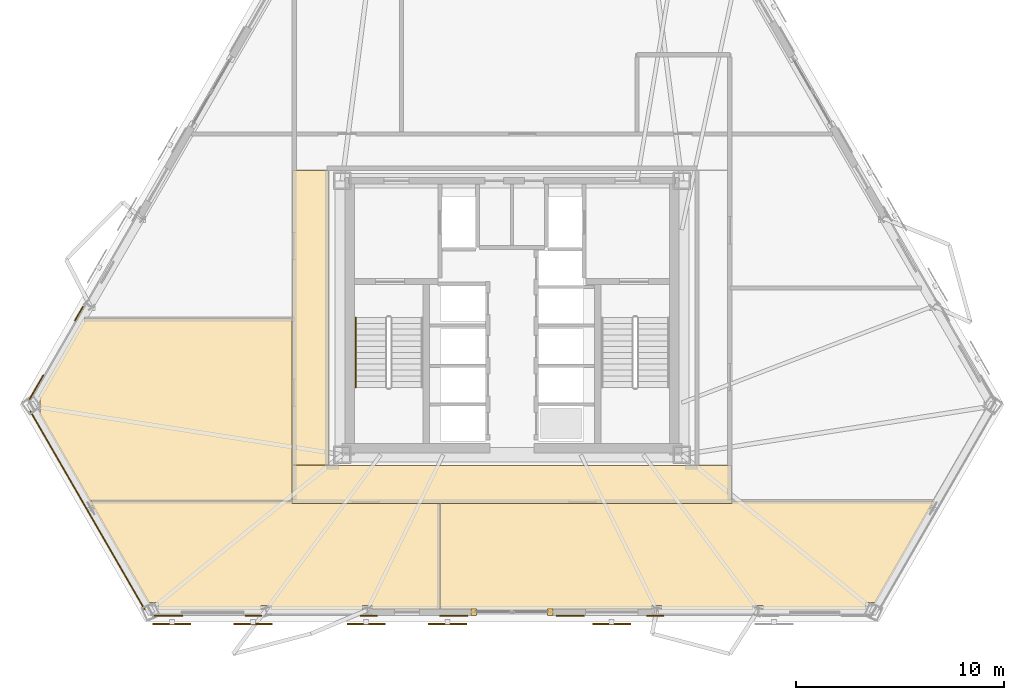
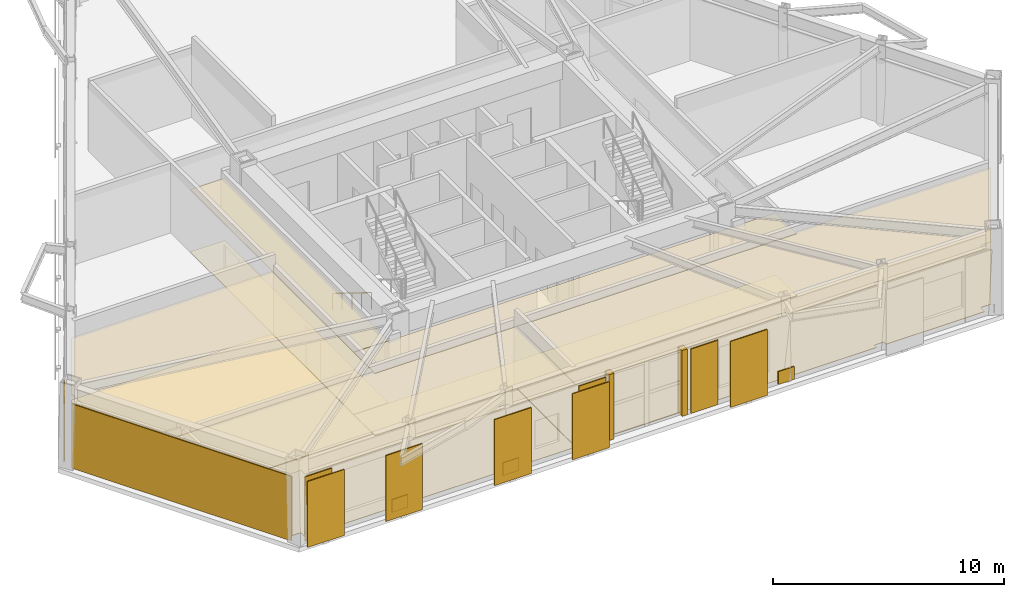
# One storey, part 11 of 14: 21 coverings, 5 shading devices, 1 railing.
"""IFC4 building model written with IfcOpenShell, lengths in metres."""

import ifcopenshell
import ifcopenshell.guid

model = None  # the IFC model being written
_history = None  # IfcOwnerHistory: only IFC2X3 demands one
_inside = {}  # id of a spatial element -> (the spatial element, [elements in it])
_under = {}  # id of a project, library or spatial element -> (it, [spatial elements below it])
_declared = {}  # id of a project -> (the project, [libraries it declares])
_typed = {}  # id of a type object -> (the type object, [elements of that type])
_made_of = {}  # id of a material, layer set ... -> (it, [elements and type objects made of it])


def new_model(schema):
    """Start an empty IFC model of exactly this schema.

    Asked for "IFC4X3", IfcOpenShell would pick the latest addendum, in which some entities
    have other attributes; the version numbers below select the first issue.
    IFC2X3 requires an IfcOwnerHistory on every rooted entity: one is made here for all.
    """
    global model, _history
    if schema == "IFC4X3":
        model = ifcopenshell.file(schema_version=(4, 3, 0, 0))
    else:
        model = ifcopenshell.file(schema=schema)
    _inside.clear()
    _under.clear()
    _declared.clear()
    _typed.clear()
    _made_of.clear()
    _history = None
    if model.schema == "IFC2X3":
        org = make("IfcOrganization", Name="unknown")
        user = make(
            "IfcPersonAndOrganization",
            ThePerson=make("IfcPerson", FamilyName="unknown"),
            TheOrganization=org,
        )
        app = make(
            "IfcApplication",
            ApplicationDeveloper=org,
            Version="unknown",
            ApplicationFullName="unknown",
            ApplicationIdentifier="unknown",
        )
        _history = make(
            "IfcOwnerHistory",
            OwningUser=user,
            OwningApplication=app,
            ChangeAction="ADDED",
            CreationDate=0,
        )
    return model


def make(cls, **values):
    """One entity of the class cls with the attributes given. An attribute that is None is left unset."""
    return model.create_entity(
        cls, **{name: value for name, value in values.items() if value is not None}
    )


def rooted(cls, **values):
    """An entity with a GlobalId (a new one), such as an element, a storey or a relation."""
    return make(cls, GlobalId=ifcopenshell.guid.new(), OwnerHistory=_history, **values)


def si_unit(unit_type, name, prefix=None):
    """IfcSIUnit, for example si_unit("LENGTHUNIT", "METRE", prefix="MILLI")."""
    return make("IfcSIUnit", UnitType=unit_type, Prefix=prefix, Name=name)


def assignment(units):
    """IfcUnitAssignment: the units of a project."""
    return None if units is None else make("IfcUnitAssignment", Units=units)


def point(xyz):
    """IfcCartesianPoint."""
    return None if xyz is None else make("IfcCartesianPoint", Coordinates=xyz)


def direction(xyz):
    """IfcDirection."""
    return None if xyz is None else make("IfcDirection", DirectionRatios=xyz)


def frame(location, z_axis=None, x_axis=None):
    """IfcAxis2Placement3D, a coordinate frame: its origin and axes. An axis left out is left unset."""
    return make(
        "IfcAxis2Placement3D",
        Location=point(location),
        Axis=direction(z_axis),
        RefDirection=direction(x_axis),
    )


def frame_2d(location, x_axis=None):
    """IfcAxis2Placement2D, a coordinate frame in the plane: its origin and x axis."""
    return make(
        "IfcAxis2Placement2D", Location=point(location), RefDirection=direction(x_axis)
    )


def origin():
    """The frame at (0, 0, 0) with its axes left unset."""
    return frame((0.0, 0.0, 0.0))


def origin_2d():
    """The frame at (0, 0) in the plane with its x axis left unset."""
    return frame_2d((0.0, 0.0))


def place(relative_to, where):
    """IfcLocalPlacement: puts the frame where relative to a parent placement (None: the world)."""
    return make(
        "IfcLocalPlacement", PlacementRelTo=relative_to, RelativePlacement=where
    )


def context(
    kind, dimensions, precision=None, world=None, true_north=None, identifier=None
):
    """IfcGeometricRepresentationContext, for example the 3D "Model" context."""
    return make(
        "IfcGeometricRepresentationContext",
        ContextIdentifier=identifier,
        ContextType=kind,
        CoordinateSpaceDimension=dimensions,
        Precision=precision,
        WorldCoordinateSystem=world,
        TrueNorth=true_north,
    )


def subcontext(parent, identifier, kind, view, scale=None):
    """IfcGeometricRepresentationSubContext, for example "Body" below "Model"."""
    return make(
        "IfcGeometricRepresentationSubContext",
        ContextIdentifier=identifier,
        ContextType=kind,
        ParentContext=parent,
        TargetScale=scale,
        TargetView=view,
    )


def project(units=None, contexts=None):
    """IfcProject with its units and contexts."""
    return rooted(
        "IfcProject",
        Name="project",
        RepresentationContexts=contexts,
        UnitsInContext=assignment(units),
    )


def spatial(cls, under=None, at=None, **own):
    """A site, building, storey or space (cls), placed at a placement, below another one or the project."""
    s = rooted(cls, ObjectPlacement=at, **own)
    if under is not None:
        _under.setdefault(under.id(), (under, []))[1].append(s)
    return s


def polyline(points):
    """IfcPolyline through the points."""
    return make("IfcPolyline", Points=[point(p) for p in points])


def profile(cls, at=None, kind="AREA", **sizes):
    """A parametric profile (cls). Its sizes go by their IFC names, for example OverallWidth=200.0."""
    return make(cls, ProfileType=kind, Position=at, **sizes)


def rectangle(**sizes):
    """IfcRectangleProfileDef."""
    return profile("IfcRectangleProfileDef", **sizes)


def circle(**sizes):
    """IfcCircleProfileDef."""
    return profile("IfcCircleProfileDef", **sizes)


def outline(outer, holes=None, kind="AREA"):
    """IfcArbitraryClosedProfileDef: a profile drawn as a closed curve; with holes, ...WithVoids."""
    if holes is None:
        return make("IfcArbitraryClosedProfileDef", ProfileType=kind, OuterCurve=outer)
    return make(
        "IfcArbitraryProfileDefWithVoids",
        ProfileType=kind,
        OuterCurve=outer,
        InnerCurves=holes,
    )


def extrude(swept, where, along, depth):
    """IfcExtrudedAreaSolid: the profile swept, set in the frame where, extruded along a direction by depth."""
    return make(
        "IfcExtrudedAreaSolid",
        SweptArea=swept,
        Position=where,
        ExtrudedDirection=direction(along),
        Depth=depth,
    )


def shape(context_of_items, identifier, shape_type, items):
    """IfcShapeRepresentation: the items that make up one representation, for example the "Body"."""
    return make(
        "IfcShapeRepresentation",
        ContextOfItems=context_of_items,
        RepresentationIdentifier=identifier,
        RepresentationType=shape_type,
        Items=items,
    )


def material(Name=None, Category=None):
    """IfcMaterial."""
    return make("IfcMaterial", Name=Name, Category=Category)


def layer(
    of_material, thickness, ventilated=None, Name=None, Category=None, Priority=None
):
    """IfcMaterialLayer: one layer of a wall or slab, of a material (None: an air gap)."""
    return make(
        "IfcMaterialLayer",
        Material=of_material,
        LayerThickness=thickness,
        IsVentilated=ventilated,
        Name=Name,
        Category=Category,
        Priority=Priority,
    )


def layer_set(layers, Name=None):
    """IfcMaterialLayerSet."""
    return make("IfcMaterialLayerSet", MaterialLayers=layers, LayerSetName=Name)


def made_of(thing, what):
    """Note that an element or type object is made of a material, layer set ...; save() writes the relation."""
    if what is not None:
        _made_of.setdefault(what.id(), (what, []))[1].append(thing)
    return thing


def type_object(cls, material=None, **own):
    """A type object (cls), such as IfcWallType, which elements share."""
    return made_of(rooted(cls, **own), material)


def element(
    cls,
    number,
    at=None,
    inside=None,
    cuts=None,
    type_object=None,
    material=None,
    context=None,
    identifier="Body",
    shape_type=None,
    held_by="IfcProductDefinitionShape",
    body=None,
    shapes=None,
    **own,
):
    """One element of the class cls, such as IfcWall. Its Tag is "e" and its number.

    at: its placement. inside: the storey or other place that contains it. cuts: it is an
    opening in that element (IfcRelVoidsElement). A single representation is given by context,
    identifier, shape_type and body (its items); several are given by shapes. held_by: the class
    of the entity that holds the representations. save() writes the other relations.
    """
    e = rooted(cls, Tag="e%d" % number, ObjectPlacement=at, **own)
    if body is not None:
        shapes = [shape(context, identifier, shape_type, body)]
    if shapes is not None:
        e.Representation = make(held_by, Representations=shapes)
    if inside is not None:
        _inside.setdefault(inside.id(), (inside, []))[1].append(e)
    if cuts is not None:
        rooted(
            "IfcRelVoidsElement", RelatingBuildingElement=cuts, RelatedOpeningElement=e
        )
    if type_object is not None:
        _typed.setdefault(type_object.id(), (type_object, []))[1].append(e)
    return made_of(e, material)


def aggregate(whole, parts):
    """IfcRelAggregates: a whole, such as a stair, and the parts it consists of."""
    return rooted("IfcRelAggregates", RelatingObject=whole, RelatedObjects=parts)


def save(model, path):
    """Write the relations noted so far, then the file.

    IfcRelAggregates (storeys below a building ...), IfcRelContainedInSpatialStructure (elements
    in a storey), IfcRelDefinesByType, IfcRelAssociatesMaterial and IfcRelDeclares: one each for
    every whole, place, type object, material and project.
    """
    for whole, parts in _under.values():
        aggregate(whole, parts)
    for where, things in _inside.values():
        rooted(
            "IfcRelContainedInSpatialStructure",
            RelatedElements=things,
            RelatingStructure=where,
        )
    for kind, things in _typed.values():
        rooted("IfcRelDefinesByType", RelatedObjects=things, RelatingType=kind)
    for what, things in _made_of.values():
        rooted("IfcRelAssociatesMaterial", RelatedObjects=things, RelatingMaterial=what)
    for by, libraries in _declared.values():
        rooted("IfcRelDeclares", RelatingContext=by, RelatedDefinitions=libraries)
    model.write(path)


model = new_model("IFC4")

# Units and contexts
model_context = context("Model", 3, precision=1e-05, world=origin(), true_north=direction((0.0, 1.0)))
body_context = subcontext(model_context, "Body", "Model", "MODEL_VIEW")
ifc_project = project(units=[si_unit("LENGTHUNIT", "METRE"), si_unit("AREAUNIT", "SQUARE_METRE"), si_unit("VOLUMEUNIT", "CUBIC_METRE"), si_unit("PLANEANGLEUNIT", "RADIAN"), si_unit("MASSUNIT", "GRAM", prefix="KILO")], contexts=[model_context])

# Site, building, storey
site_placement = place(None, origin())
site = spatial("IfcSite", under=ifc_project, at=site_placement, CompositionType="ELEMENT")
building_placement = place(site_placement, origin())
building = spatial("IfcBuilding", under=site, at=building_placement, Name="Oramaril Tower", CompositionType="ELEMENT")
storey_placement = place(building_placement, frame((0.0, 0.0, 107.699951171875)))
storey = spatial("IfcBuildingStorey", under=building, at=storey_placement, Name="L28", CompositionType="ELEMENT", Elevation=107.699951171875)

# Coverings
ifc_material_1 = material(Name="Mineral Fibre Acoustic Ceiling")
ifc_layer_1 = layer(ifc_material_1, 0.02001953125)
ifc_layer_set_1 = layer_set([ifc_layer_1], Name="CVT-CEIL")
covering_type_1 = type_object("IfcCoveringType", Name="CVT-CEIL", PredefinedType="CEILING", material=ifc_layer_set_1)
covering_1_placement = place(storey_placement, frame((0.0, 0.0, 3.2919921875)))
element("IfcCovering", 1, at=covering_1_placement, inside=storey, type_object=covering_type_1, Name="L28 Acoustic Suspended Ceiling 1", PredefinedType="CEILING", context=body_context, shape_type="SweptSolid", body=[
    extrude(outline(polyline([(48.030029296875, 10.47998046875), (48.030029296875, 8.669921875), (26.969970703125, 8.669921875), (26.969970703125, 10.47998046875), (48.030029296875, 10.47998046875)])), origin(), (0.0, 0.0, 1.0), 0.02001953125),
])
covering_2_placement = place(storey_placement, frame((0.0, 0.0, 3.2919921875)))
element("IfcCovering", 2, at=covering_2_placement, inside=storey, type_object=covering_type_1, Name="L28 Acoustic Suspended Ceiling 3", PredefinedType="CEILING", context=body_context, shape_type="SweptSolid", body=[
    extrude(outline(polyline([(28.699951171875, 10.5), (26.969970703125, 10.5), (26.969970703125, 24.64990234375), (28.699951171875, 24.64990234375), (28.699951171875, 10.5)])), origin(), (0.0, 0.0, 1.0), 0.02001953125),
])
covering_3_placement = place(storey_placement, frame((0.0, 0.0, 3.2919921875)))
element("IfcCovering", 3, at=covering_3_placement, inside=storey, type_object=covering_type_1, Name="L28 Acoustic Suspended Ceiling 5", PredefinedType="CEILING", context=body_context, shape_type="SweptSolid", body=[
    extrude(outline(polyline([(34.0419921875, 3.5673828125), (30.788330078125, 3.5673828125), (30.788330078125, 3.767578125), (30.326904296875, 3.767578125), (30.326904296875, 3.5673828125), (25.93408203125, 3.5673828125), (25.93408203125, 3.767578125), (25.4619140625, 3.767578125), (25.4619140625, 3.5673828125), (20.533447265625, 3.5673828125), (20.533447265625, 3.914794921875), (20.025146484375, 3.914794921875), (17.209228515625, 8.7919921875), (26.949951171875, 8.7919921875), (26.949951171875, 8.669921875), (26.9501953125, 8.66796875), (26.950439453125, 8.666015625), (26.950927734375, 8.664306640625), (26.951416015625, 8.662353515625), (26.952392578125, 8.66064453125), (26.953369140625, 8.658935546875), (26.95458984375, 8.6572265625), (26.955810546875, 8.656005859375), (26.957275390625, 8.654541015625), (26.958984375, 8.6533203125), (26.960693359375, 8.65234375), (26.96240234375, 8.651611328125), (26.964111328125, 8.65087890625), (26.966064453125, 8.650390625), (26.968017578125, 8.650146484375), (26.969970703125, 8.64990234375), (34.0419921875, 8.64990234375), (34.0419921875, 3.5673828125)])), origin(), (0.0, 0.0, 1.0), 0.02001953125),
])
covering_4_placement = place(storey_placement, frame((0.0, 0.0, 3.2919921875)))
element("IfcCovering", 4, at=covering_4_placement, inside=storey, type_object=covering_type_1, Name="L28 Acoustic Suspended Ceiling 6", PredefinedType="CEILING", context=body_context, shape_type="SweptSolid", body=[
    extrude(outline(polyline([(49.5380859375, 3.767578125), (49.06591796875, 3.767578125), (49.06591796875, 3.5673828125), (44.673095703125, 3.5673828125), (44.673095703125, 3.767578125), (44.211669921875, 3.767578125), (44.211669921875, 3.5673828125), (34.06201171875, 3.5673828125), (34.06201171875, 8.64990234375), (48.030029296875, 8.64990234375), (48.031982421875, 8.650146484375), (48.033935546875, 8.650390625), (48.035888671875, 8.65087890625), (48.03759765625, 8.651611328125), (48.039306640625, 8.65234375), (48.041015625, 8.6533203125), (48.042724609375, 8.654541015625), (48.044189453125, 8.656005859375), (48.04541015625, 8.6572265625), (48.046630859375, 8.658935546875), (48.047607421875, 8.66064453125), (48.048583984375, 8.662353515625), (48.049072265625, 8.664306640625), (48.049560546875, 8.666015625), (48.0498046875, 8.66796875), (48.050048828125, 8.669921875), (48.050048828125, 8.7919921875), (57.790771484375, 8.7919921875), (54.974853515625, 3.914794921875), (54.466552734375, 3.914794921875), (54.466552734375, 3.5673828125), (49.5380859375, 3.5673828125), (49.5380859375, 3.767578125)])), origin(), (0.0, 0.0, 1.0), 0.02001953125),
])
covering_5_placement = place(storey_placement, frame((0.0, 0.0, 3.2919921875)))
element("IfcCovering", 5, at=covering_5_placement, inside=storey, type_object=covering_type_1, Name="L28 Acoustic Suspended Ceiling 7", PredefinedType="CEILING", context=body_context, shape_type="SweptSolid", body=[
    extrude(outline(polyline([(14.802734375, 12.960205078125), (14.84521484375, 12.960205078125), (14.84521484375, 13.7763671875), (14.7587890625, 13.7763671875), (16.932861328125, 17.5419921875), (26.949951171875, 17.5419921875), (26.949951171875, 10.5), (26.9501953125, 10.498046875), (26.950439453125, 10.49609375), (26.950927734375, 10.494140625), (26.951416015625, 10.4921875), (26.952392578125, 10.490478515625), (26.95263671875, 10.489990234375), (26.952392578125, 10.489501953125), (26.951416015625, 10.48779296875), (26.950927734375, 10.48583984375), (26.950439453125, 10.48388671875), (26.9501953125, 10.48193359375), (26.949951171875, 10.47998046875), (26.949951171875, 8.81201171875), (17.209228515625, 8.81201171875), (17.207275390625, 8.81201171875), (17.205322265625, 8.8115234375), (17.203369140625, 8.81103515625), (17.20166015625, 8.810302734375), (17.19970703125, 8.8095703125), (17.19921875, 8.809326171875), (14.802734375, 12.960205078125)])), origin(), (0.0, 0.0, 1.0), 0.02001953125),
])
ifc_material_2 = material(Name="Warm Cream Limestone", Category="masonry")
ifc_layer_2 = layer(ifc_material_2, 0.050048828125)
ifc_layer_set_2 = layer_set([ifc_layer_2], Name="CVT-CLD")
covering_type_2 = type_object("IfcCoveringType", Name="CVT-CLD", PredefinedType="CLADDING", material=ifc_layer_set_2)
covering_6_placement = place(storey_placement, frame((17.124755859375, 8.336181640625, 0.0400390625), z_axis=(0.0, 0.0, 1.0), x_axis=(0.500003022996, -0.86602365845, 0.0)))
element("IfcCovering", 6, at=covering_6_placement, inside=storey, type_object=covering_type_2, Name="L28 Warm Cream Limestone Cladding", PredefinedType="CLADDING", context=body_context, shape_type="SweptSolid", body=[
    extrude(rectangle(XDim=10.985595703125, YDim=0.050048828125, at=origin_2d()), origin(), (0.0, 0.0, 1.0), 3.39794921875),
])
for number, where, z_axis, x_axis, name in (
    (7, (35.669921875, 3.45947265625, 0.0), (0.0, 0.0, 1.0), (1.0, 0.0, 0.0), "L28 Curtain Wall Limestone Jamb Closure"),
    (8, (39.330078125, 3.45947265625, 0.0), (0.0, 0.0, 1.0), (1.0, 0.0, 0.0), "L28 Curtain Wall Limestone Jamb Closure"),
):
    element("IfcCovering", number, at=place(storey_placement, frame(where, z_axis=z_axis, x_axis=x_axis)), inside=storey, type_object=covering_type_2, Name=name, PredefinedType="CLADDING", context=body_context, shape_type="SweptSolid", body=[
        extrude(rectangle(XDim=0.260009765625, YDim=0.340087890625, at=origin_2d()), origin(), (0.0, 0.0, 1.0), 3.47802734375),
    ])
for number, where, z_axis, x_axis, name in (
    (9, (21.013427734375, 3.266357421875, 0.0400390625), (0.0, 0.0, 1.0), (1.0, 0.0, 0.0), "L28 Warm Cream Limestone Cladding"),
    (10, (34.699951171875, 3.266357421875, 0.0400390625), (0.0, 0.0, 1.0), (1.0, 0.0, 0.0), "L28 Warm Cream Limestone Cladding"),
):
    element("IfcCovering", number, at=place(storey_placement, frame(where, z_axis=z_axis, x_axis=x_axis)), inside=storey, type_object=covering_type_2, Name=name, PredefinedType="CLADDING", context=body_context, shape_type="SweptSolid", body=[
        extrude(rectangle(XDim=1.35009765625, YDim=0.050048828125, at=origin_2d()), origin(), (0.0, 0.0, 1.0), 3.39794921875),
    ])
for number, where, z_axis, x_axis, name in (
    (11, (25.087158203125, 3.266357421875, 0.0400390625), (0.0, 0.0, 1.0), (1.0, 0.0, 0.0), "L28 Warm Cream Limestone Spandrel Cladding"),
    (12, (30.626220703125, 3.266357421875, 0.0400390625), (0.0, 0.0, 1.0), (1.0, 0.0, 0.0), "L28 Warm Cream Limestone Spandrel Cladding"),
):
    element("IfcCovering", number, at=place(storey_placement, frame(where, z_axis=z_axis, x_axis=x_axis)), inside=storey, type_object=covering_type_2, Name=name, PredefinedType="CLADDING", context=body_context, shape_type="SweptSolid", body=[
        extrude(rectangle(XDim=0.800048828125, YDim=0.050048828125, at=origin_2d()), origin(), (0.0, 0.0, 1.0), 0.679931640625),
    ])
covering_7_placement = place(storey_placement, frame((40.300048828125, 3.266357421875, 0.0400390625), z_axis=(0.0, 0.0, 1.0), x_axis=(1.0, 0.0, 0.0)))
element("IfcCovering", 13, at=covering_7_placement, inside=storey, type_object=covering_type_2, Name="L28 Warm Cream Limestone Cladding", PredefinedType="CLADDING", context=body_context, shape_type="SweptSolid", body=[
    extrude(rectangle(XDim=1.35009765625, YDim=0.050048828125, at=origin_2d()), origin(), (0.0, 0.0, 1.0), 3.39794921875),
])
covering_8_placement = place(storey_placement, frame((44.373779296875, 3.266357421875, 0.0400390625), z_axis=(0.0, 0.0, 1.0), x_axis=(1.0, 0.0, 0.0)))
element("IfcCovering", 14, at=covering_8_placement, inside=storey, type_object=covering_type_2, Name="L28 Warm Cream Limestone Spandrel Cladding", PredefinedType="CLADDING", context=body_context, shape_type="SweptSolid", body=[
    extrude(rectangle(XDim=0.800048828125, YDim=0.050048828125, at=origin_2d()), origin(), (0.0, 0.0, 1.0), 0.679931640625),
])
covering_9_placement = place(storey_placement, frame((14.678466796875, 14.239013671875, 0.0400390625), z_axis=(0.0, 0.0, 1.0), x_axis=(-0.4999984885, -0.866026276448, 0.0)))
element("IfcCovering", 15, at=covering_9_placement, inside=storey, type_object=covering_type_2, Name="L28 Warm Cream Limestone Cladding", PredefinedType="CLADDING", context=body_context, shape_type="SweptSolid", body=[
    extrude(rectangle(XDim=1.35009765625, YDim=0.050048828125, at=origin_2d()), origin(), (0.0, 0.0, 1.0), 3.39794921875),
])
covering_10_placement = place(storey_placement, frame((16.715087890625, 17.766845703125, 0.0400390625), z_axis=(0.0, 0.0, 1.0), x_axis=(-0.4999984885, -0.866026276448, 0.0)))
element("IfcCovering", 16, at=covering_10_placement, inside=storey, type_object=covering_type_2, Name="L28 Warm Cream Limestone Spandrel Cladding", PredefinedType="CLADDING", context=body_context, shape_type="SweptSolid", body=[
    extrude(rectangle(XDim=0.800048828125, YDim=0.050048828125, at=origin_2d()), origin(), (0.0, 0.0, 1.0), 0.679931640625),
])
ifc_material_3 = material(Name="Honed Quartzite Stone Flooring", Category="masonry")
ifc_layer_3 = layer(ifc_material_3, 0.02490234375)
ifc_layer_set_3 = layer_set([ifc_layer_3], Name="CVT-FLR")
covering_type_3 = type_object("IfcCoveringType", Name="CVT-FLR", PredefinedType="FLOORING", material=ifc_layer_set_3)
covering_11_placement = place(storey_placement, origin())
element("IfcCovering", 17, at=covering_11_placement, inside=storey, type_object=covering_type_3, Name="L28 Honed Stone Floor Finish 1", PredefinedType="FLOORING", context=body_context, shape_type="SweptSolid", body=[
    extrude(outline(polyline([(48.030029296875, 10.47998046875), (48.030029296875, 8.669921875), (26.969970703125, 8.669921875), (26.969970703125, 10.47998046875), (48.030029296875, 10.47998046875)])), origin(), (0.0, 0.0, 1.0), 0.025146484375),
])
covering_12_placement = place(storey_placement, origin())
element("IfcCovering", 18, at=covering_12_placement, inside=storey, type_object=covering_type_3, Name="L28 Honed Stone Floor Finish 3", PredefinedType="FLOORING", context=body_context, shape_type="SweptSolid", body=[
    extrude(outline(polyline([(28.699951171875, 10.5), (26.969970703125, 10.5), (26.969970703125, 24.64990234375), (28.699951171875, 24.64990234375), (28.699951171875, 10.5)])), origin(), (0.0, 0.0, 1.0), 0.025146484375),
])
covering_13_placement = place(storey_placement, origin())
element("IfcCovering", 19, at=covering_13_placement, inside=storey, type_object=covering_type_3, Name="L28 Honed Stone Floor Finish 5", PredefinedType="FLOORING", context=body_context, shape_type="SweptSolid", body=[
    extrude(outline(polyline([(34.0419921875, 3.5673828125), (30.788330078125, 3.5673828125), (30.788330078125, 3.767578125), (30.326904296875, 3.767578125), (30.326904296875, 3.5673828125), (25.93408203125, 3.5673828125), (25.93408203125, 3.767578125), (25.4619140625, 3.767578125), (25.4619140625, 3.5673828125), (20.533447265625, 3.5673828125), (20.533447265625, 3.914794921875), (20.025146484375, 3.914794921875), (17.209228515625, 8.7919921875), (26.949951171875, 8.7919921875), (26.949951171875, 8.669921875), (26.9501953125, 8.66796875), (26.950439453125, 8.666015625), (26.950927734375, 8.664306640625), (26.951416015625, 8.662353515625), (26.952392578125, 8.66064453125), (26.953369140625, 8.658935546875), (26.95458984375, 8.6572265625), (26.955810546875, 8.656005859375), (26.957275390625, 8.654541015625), (26.958984375, 8.6533203125), (26.960693359375, 8.65234375), (26.96240234375, 8.651611328125), (26.964111328125, 8.65087890625), (26.966064453125, 8.650390625), (26.968017578125, 8.650146484375), (26.969970703125, 8.64990234375), (34.0419921875, 8.64990234375), (34.0419921875, 3.5673828125)])), origin(), (0.0, 0.0, 1.0), 0.025146484375),
])
covering_14_placement = place(storey_placement, origin())
element("IfcCovering", 20, at=covering_14_placement, inside=storey, type_object=covering_type_3, Name="L28 Honed Stone Floor Finish 6", PredefinedType="FLOORING", context=body_context, shape_type="SweptSolid", body=[
    extrude(outline(polyline([(49.5380859375, 3.767578125), (49.06591796875, 3.767578125), (49.06591796875, 3.5673828125), (44.673095703125, 3.5673828125), (44.673095703125, 3.767578125), (44.211669921875, 3.767578125), (44.211669921875, 3.5673828125), (34.06201171875, 3.5673828125), (34.06201171875, 8.64990234375), (48.030029296875, 8.64990234375), (48.031982421875, 8.650146484375), (48.033935546875, 8.650390625), (48.035888671875, 8.65087890625), (48.03759765625, 8.651611328125), (48.039306640625, 8.65234375), (48.041015625, 8.6533203125), (48.042724609375, 8.654541015625), (48.044189453125, 8.656005859375), (48.04541015625, 8.6572265625), (48.046630859375, 8.658935546875), (48.047607421875, 8.66064453125), (48.048583984375, 8.662353515625), (48.049072265625, 8.664306640625), (48.049560546875, 8.666015625), (48.0498046875, 8.66796875), (48.050048828125, 8.669921875), (48.050048828125, 8.7919921875), (57.790771484375, 8.7919921875), (54.974853515625, 3.914794921875), (54.466552734375, 3.914794921875), (54.466552734375, 3.5673828125), (49.5380859375, 3.5673828125), (49.5380859375, 3.767578125)])), origin(), (0.0, 0.0, 1.0), 0.025146484375),
])
covering_15_placement = place(storey_placement, origin())
element("IfcCovering", 21, at=covering_15_placement, inside=storey, type_object=covering_type_3, Name="L28 Honed Stone Floor Finish 7", PredefinedType="FLOORING", context=body_context, shape_type="SweptSolid", body=[
    extrude(outline(polyline([(14.802734375, 12.960205078125), (14.84521484375, 12.960205078125), (14.84521484375, 13.7763671875), (14.7587890625, 13.7763671875), (16.932861328125, 17.5419921875), (26.949951171875, 17.5419921875), (26.949951171875, 10.5), (26.9501953125, 10.498046875), (26.950439453125, 10.49609375), (26.950927734375, 10.494140625), (26.951416015625, 10.4921875), (26.952392578125, 10.490478515625), (26.95263671875, 10.489990234375), (26.952392578125, 10.489501953125), (26.951416015625, 10.48779296875), (26.950927734375, 10.48583984375), (26.950439453125, 10.48388671875), (26.9501953125, 10.48193359375), (26.949951171875, 10.47998046875), (26.949951171875, 8.81201171875), (17.209228515625, 8.81201171875), (17.207275390625, 8.81201171875), (17.205322265625, 8.8115234375), (17.203369140625, 8.81103515625), (17.20166015625, 8.810302734375), (17.19970703125, 8.8095703125), (17.19921875, 8.809326171875), (14.802734375, 12.960205078125)])), origin(), (0.0, 0.0, 1.0), 0.025146484375),
])

# Railing
ifc_material_4 = material(Name="Stainless Steel 316L", Category="steel")
railing_type = type_object("IfcRailingType", Name="RLT-HND", PredefinedType="HANDRAIL", material=ifc_material_4)
railing_placement = place(storey_placement, frame((30.0, 17.590087890625, 0.173095703125)))
element("IfcRailing", 22, at=railing_placement, inside=storey, type_object=railing_type, Name="L28 ST-1 stair handrail 1", PredefinedType="HANDRAIL", context=body_context, shape_type="SweptSolid", body=[
    extrude(circle(Radius=0.02392578125, at=origin_2d()), frame((0.0, 0.0, 0.8759765625), z_axis=(0.0, -0.850623216509, 0.525775754039), x_axis=(1.0, 0.0, 0.0)), (0.0, 0.0, 1.0), 3.9501953125),
    extrude(circle(Radius=0.02099609375, at=origin_2d()), origin(), (0.0, 0.0, 1.0), 0.851806640625),
    extrude(circle(Radius=0.02099609375, at=origin_2d()), frame((0.0, -0.840087890625, 0.519287109375)), (0.0, 0.0, 1.0), 0.851806640625),
    extrude(circle(Radius=0.02099609375, at=origin_2d()), frame((0.0, -1.68017578125, 1.03857421875)), (0.0, 0.0, 1.0), 0.851806640625),
    extrude(circle(Radius=0.02099609375, at=origin_2d()), frame((0.0, -2.52001953125, 1.5576171875)), (0.0, 0.0, 1.0), 0.851806640625),
    extrude(circle(Radius=0.02099609375, at=origin_2d()), frame((0.0, -3.360107421875, 2.076904296875)), (0.0, 0.0, 1.0), 0.851806640625),
])

# Shading devices
for number, where, z_axis, x_axis, name in (
    (23, (21.17431640625, 2.87939453125, -0.02001953125), (0.0, 0.0, 1.0), (1.0, 0.0, 0.0), "L28 Perforated Ceramic Solar Screen"),
    (24, (25.07421875, 2.87939453125, -0.02001953125), (0.0, 0.0, 1.0), (1.0, 0.0, 0.0), "L28 Perforated Ceramic Solar Screen"),
    (25, (30.5048828125, 2.87939453125, -0.02001953125), (0.0, 0.0, 1.0), (1.0, 0.0, 0.0), "L28 Perforated Ceramic Solar Screen"),
    (26, (34.40478515625, 2.87939453125, -0.02001953125), (0.0, 0.0, 1.0), (1.0, 0.0, 0.0), "L28 Perforated Ceramic Solar Screen"),
    (27, (42.285888671875, 2.87939453125, -0.02001953125), (0.0, 0.0, 1.0), (1.0, 0.0, 0.0), "L28 Perforated Ceramic Solar Screen"),
):
    element("IfcShadingDevice", number, at=place(storey_placement, frame(where, z_axis=z_axis, x_axis=x_axis)), inside=storey, Name=name, ObjectType="SCREEN", PredefinedType="USERDEFINED", context=body_context, shape_type="SweptSolid", body=[
        extrude(rectangle(XDim=1.8330078125, YDim=0.050048828125, at=origin_2d()), origin(), (0.0, 0.0, 1.0), 3.47802734375),
    ])

save(model, "model.ifc")
